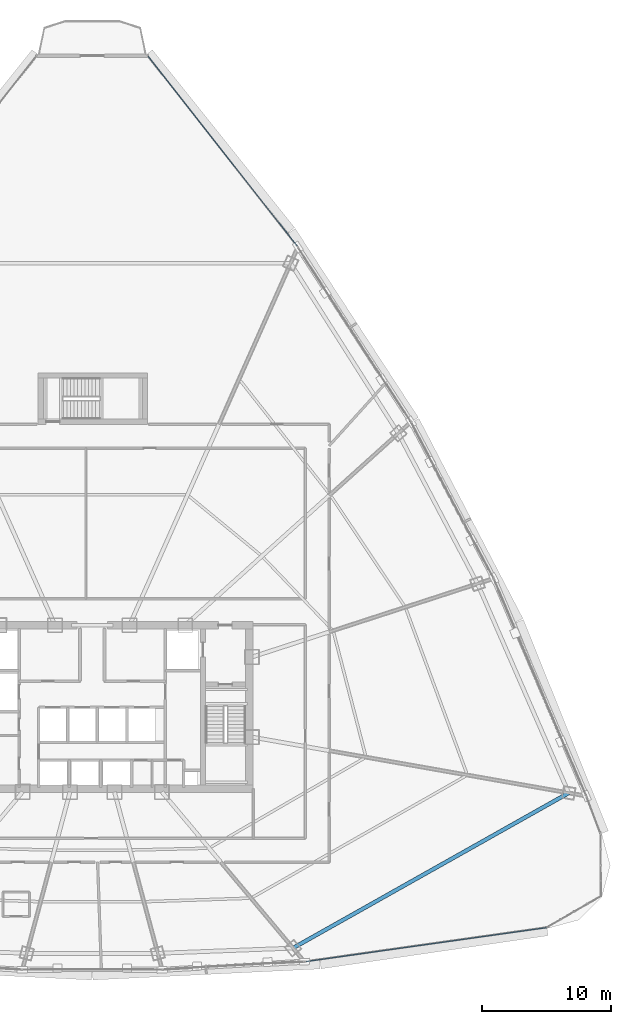
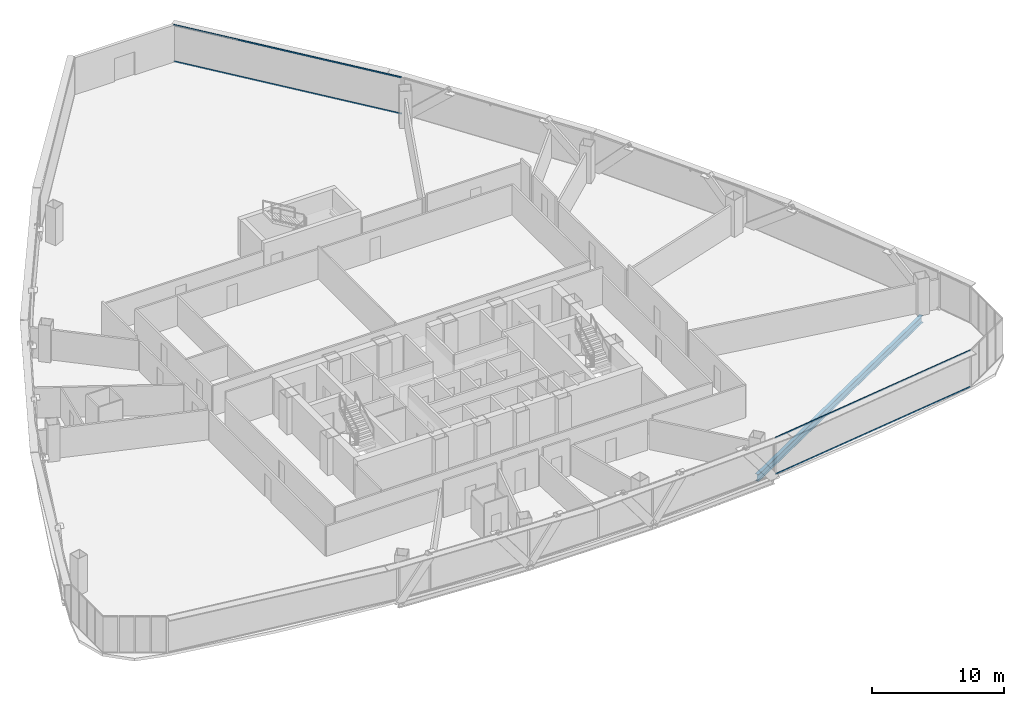
# One storey, part 23 of 40: 4 members, 1 beam, 2 elements without a shape of their own.
"""IFC4 building model written with IfcOpenShell, lengths in metres."""

from ifc_helpers import new_model, si_unit, direction, frame, origin, origin_2d, place, context, subcontext, project, spatial, hollow_rectangle, i_section, extrude, source, transform, mapped, material, layer, layer_set, material_profile, profile_set, type_object, element, aggregate, save


model = new_model("IFC4")

# Units and contexts
model_context = context("Model", 3, precision=1e-05, world=origin(), true_north=direction((0.0, 1.0)))
body_context = subcontext(model_context, "Body", "Model", "MODEL_VIEW")
ifc_project = project(units=[si_unit("LENGTHUNIT", "METRE"), si_unit("AREAUNIT", "SQUARE_METRE"), si_unit("VOLUMEUNIT", "CUBIC_METRE"), si_unit("PLANEANGLEUNIT", "RADIAN"), si_unit("MASSUNIT", "GRAM", prefix="KILO"), si_unit("THERMODYNAMICTEMPERATUREUNIT", "KELVIN"), si_unit("POWERUNIT", "WATT")], contexts=[model_context])

# Site, building, storey
site_placement = place(None, origin())
site = spatial("IfcSite", under=ifc_project, at=site_placement, CompositionType="ELEMENT")
building_placement = place(site_placement, origin())
building = spatial("IfcBuilding", under=site, at=building_placement, Name="Yunzhuo Pagoda Commons", CompositionType="ELEMENT")
storey_placement = place(building_placement, frame((0.0, 0.0, 159.27001953125)))
storey = spatial("IfcBuildingStorey", under=building, at=storey_placement, Name="L40", CompositionType="ELEMENT", Elevation=159.27001953125)

# Beam
ifc_material_1 = material(Name="Structural steel Q355B", Category="steel")
ifc_material_profile_1 = material_profile(ifc_material_1, i_section(OverallWidth=0.300048828125, OverallDepth=0.64990234375, WebThickness=0.012939453125, FlangeThickness=0.02197265625, at=origin_2d()), Name="Structural steel Q355B")
ifc_profile_set_1 = profile_set([ifc_material_profile_1], Name="Structural steel Q355B")
beam_type = type_object("IfcBeamType", Name="B-RG2 Beam HN 650x300x13x22", PredefinedType="BEAM", material=ifc_profile_set_1)
shared_shape_1 = source(origin(), body_context, "Body", "SweptSolid", [
    extrude(i_section(OverallWidth=0.300048828125, OverallDepth=0.64990234375, WebThickness=0.012939453125, FlangeThickness=0.02197265625, at=origin_2d()), origin(), (0.0, 0.0, 1.0), 24.56982421875),
])
beam_placement = place(storey_placement, frame((63.585205078125, 15.126220703125, -0.5849609375), z_axis=(0.871469103633, 0.490450406681, 0.0), x_axis=(-0.490450406681, 0.871469103633, 0.0)))
element("IfcBeam", 1, at=beam_placement, inside=storey, type_object=beam_type, Name="L40 column-ring beam 4", PredefinedType="BEAM", context=body_context, shape_type="MappedRepresentation", body=[
    mapped(shared_shape_1, transform((0.0, 0.0, 0.0), scale=1.0)),
])

# Curtain wall, members
ifc_material_2 = material(Name="Anodized aluminium 6063-T6", Category="aluminium")
ifc_layer = layer(ifc_material_2, 0.14990234375)
ifc_layer_set = layer_set([ifc_layer], Name="Anodized aluminium 6063-T6")
curtain_wall_type = type_object("IfcCurtainWallType", Name="CW-MID Mid-Zone Ribbon Curtain Wall", PredefinedType="NOTDEFINED", material=ifc_layer_set)
curtain_wall_1_placement = place(storey_placement, origin())
curtain_wall_1 = element("IfcCurtainWall", 2, at=curtain_wall_1_placement, inside=storey, type_object=curtain_wall_type, Name="L40 curtain wall CW-L40-F1B5", PredefinedType="NOTDEFINED")
ifc_material_profile_2 = material_profile(ifc_material_2, hollow_rectangle(XDim=0.054931640625, YDim=0.1298828125, WallThickness=0.00341796875, at=origin_2d()), Name="Anodized aluminium 6063-T6")
ifc_profile_set_2 = profile_set([ifc_material_profile_2], Name="Anodized aluminium 6063-T6")
member_type = type_object("IfcMemberType", Name="CW-MID-T Transom RHS 130x55x3.5", PredefinedType="USERDEFINED", material=ifc_profile_set_2)
shared_shape_2 = source(origin(), body_context, "Body", "SweptSolid", [
    extrude(hollow_rectangle(XDim=0.054931640625, YDim=0.1298828125, WallThickness=0.00341796875, at=origin_2d()), origin(), (0.0, 0.0, 1.0), 18.81689453125),
])
member_1_placement = place(storey_placement, frame((64.6064453125, 14.08740234375, 0.027587890625), z_axis=(0.990203475136, 0.139631936994, 0.0), x_axis=(-0.139631936994, 0.990203475136, 0.0)))
member_1 = element("IfcMember", 3, at=member_1_placement, type_object=member_type, Name="CW transom 1.1", ObjectType="TRANSOM", PredefinedType="USERDEFINED", context=body_context, shape_type="MappedRepresentation", body=[
    mapped(shared_shape_2, transform((0.0, 0.0, 0.0), scale=1.0)),
])
member_2_placement = place(storey_placement, frame((64.6064453125, 14.08740234375, 3.392578125), z_axis=(0.990203475136, 0.139631936994, 0.0), x_axis=(-0.139631936994, 0.990203475136, 0.0)))
member_2 = element("IfcMember", 4, at=member_2_placement, type_object=member_type, Name="CW transom 1.2", ObjectType="TRANSOM", PredefinedType="USERDEFINED", context=body_context, shape_type="MappedRepresentation", body=[
    mapped(shared_shape_2, transform((0.0, 0.0, 0.0), scale=1.0)),
])
aggregate(curtain_wall_1, [member_1, member_2])

curtain_wall_2_placement = place(storey_placement, origin())
curtain_wall_2 = element("IfcCurtainWall", 5, at=curtain_wall_2_placement, inside=storey, type_object=curtain_wall_type, Name="L40 curtain wall CW-L40-F2B5", PredefinedType="NOTDEFINED")
shared_shape_3 = source(origin(), body_context, "Body", "SweptSolid", [
    extrude(hollow_rectangle(XDim=0.054931640625, YDim=0.1298828125, WallThickness=0.00341796875, at=origin_2d()), origin(), (0.0, 0.0, 1.0), 18.6806640625),
])
member_3_placement = place(storey_placement, frame((63.883544921875, 69.668701171875, 0.027587890625), z_axis=(-0.61725574956, 0.786762568781, 0.0), x_axis=(-0.786762568781, -0.61725574956, 0.0)))
member_3 = element("IfcMember", 6, at=member_3_placement, type_object=member_type, Name="CW transom 1.1", ObjectType="TRANSOM", PredefinedType="USERDEFINED", context=body_context, shape_type="MappedRepresentation", body=[
    mapped(shared_shape_3, transform((0.0, 0.0, 0.0), scale=1.0)),
])
member_4_placement = place(storey_placement, frame((63.883544921875, 69.668701171875, 3.392578125), z_axis=(-0.61725574956, 0.786762568781, 0.0), x_axis=(-0.786762568781, -0.61725574956, 0.0)))
member_4 = element("IfcMember", 7, at=member_4_placement, type_object=member_type, Name="CW transom 1.2", ObjectType="TRANSOM", PredefinedType="USERDEFINED", context=body_context, shape_type="MappedRepresentation", body=[
    mapped(shared_shape_3, transform((0.0, 0.0, 0.0), scale=1.0)),
])
aggregate(curtain_wall_2, [member_3, member_4])

save(model, "model.ifc")
